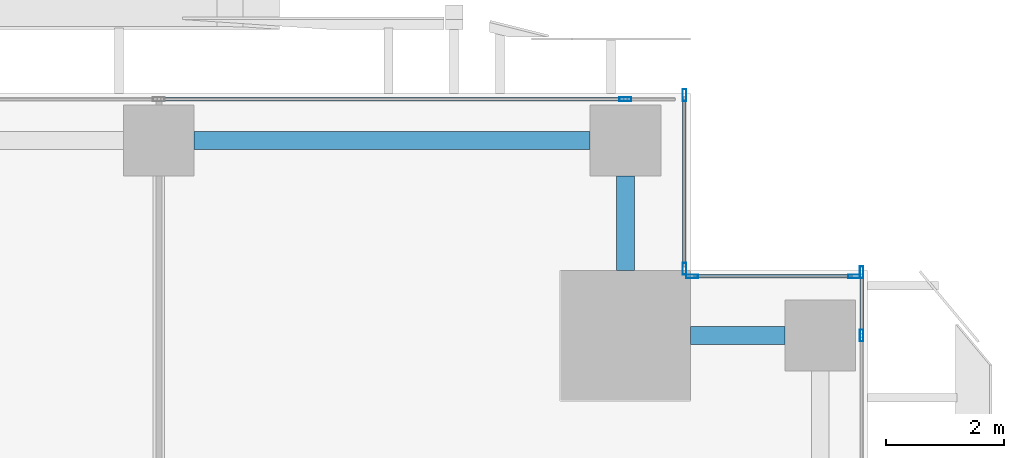
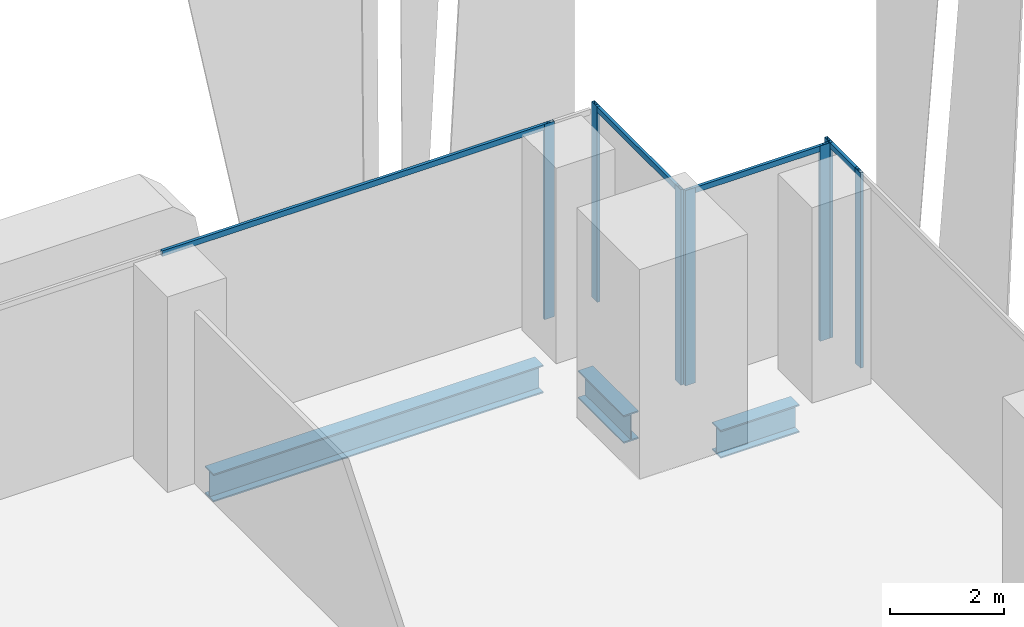
# One storey, part 21 of 36: 11 members, 3 beams, 4 elements without a shape of their own.
"""IFC4 building model written with IfcOpenShell, lengths in metres."""

from ifc_helpers import new_model, si_unit, direction, frame, origin, origin_2d, place, context, subcontext, project, spatial, hollow_rectangle, i_section, extrude, source, transform, mapped, material, material_profile, profile_set, type_object, element, aggregate, save


model = new_model("IFC4")

# Units and contexts
model_context = context("Model", 3, precision=1e-05, world=origin(), true_north=direction((0.0, 1.0)))
body_context = subcontext(model_context, "Body", "Model", "MODEL_VIEW")
ifc_project = project(units=[si_unit("LENGTHUNIT", "METRE"), si_unit("AREAUNIT", "SQUARE_METRE"), si_unit("VOLUMEUNIT", "CUBIC_METRE"), si_unit("PLANEANGLEUNIT", "RADIAN"), si_unit("MASSUNIT", "GRAM", prefix="KILO")], contexts=[model_context])

# Site, building, storey
site_placement = place(None, origin())
site = spatial("IfcSite", under=ifc_project, at=site_placement, CompositionType="ELEMENT")
building_placement = place(site_placement, origin())
building = spatial("IfcBuilding", under=site, at=building_placement, Name="Khomas Fold Tower", CompositionType="ELEMENT")
storey_placement = place(building_placement, frame((0.0, 0.0, 46.5)))
storey = spatial("IfcBuildingStorey", under=building, at=storey_placement, Name="L09", CompositionType="ELEMENT", Elevation=46.5)

# Beams
ifc_material_1 = material(Name="Steel S355", Category="steel")
ifc_material_profile_1 = material_profile(ifc_material_1, i_section(OverallWidth=0.300048828125, OverallDepth=0.60009765625, WebThickness=0.015380859375, FlangeThickness=0.030029296875, at=origin_2d()), Name="HE 600 B")
ifc_profile_set_1 = profile_set([ifc_material_profile_1], Name="Steel S355")
beam_type = type_object("IfcBeamType", Name="HE 600 B spandrel SB1", PredefinedType="SPANDREL", material=ifc_profile_set_1)
shared_shape_1 = source(origin(), body_context, "Body", "SweptSolid", [
    extrude(i_section(OverallWidth=0.300048828125, OverallDepth=0.60009765625, WebThickness=0.015380859375, FlangeThickness=0.030029296875, at=origin_2d()), origin(), (0.0, 0.0, 1.0), 6.699951171875),
])
beam_placement = place(storey_placement, frame((42.60009765625, 53.199951171875, -0.60009765625), z_axis=(1.0, 0.0, 0.0), x_axis=(0.0, 1.0, 0.0)))
element("IfcBeam", 1, at=beam_placement, inside=storey, type_object=beam_type, Name="SB1", PredefinedType="SPANDREL", context=body_context, shape_type="MappedRepresentation", body=[
    mapped(shared_shape_1, transform((0.0, 0.0, 0.0))),
])
shared_shape_2 = source(origin(), body_context, "Body", "SweptSolid", [
    extrude(i_section(OverallWidth=0.300048828125, OverallDepth=0.60009765625, WebThickness=0.015380859375, FlangeThickness=0.030029296875, at=origin_2d()), origin(), (0.0, 0.0, 1.0), 1.60009765625),
])
for number, where, z_axis, x_axis, name in (
    (2, (51.0, 49.89990234375, -0.60009765625), (1.0, 0.0, 0.0), (0.0, 1.0, 0.0), "SB1"),
    (3, (49.89990234375, 51.0, -0.60009765625), (0.0, 1.0, 0.0), (-1.0, 0.0, 0.0), "SB1"),
):
    element("IfcBeam", number, at=place(storey_placement, frame(where, z_axis=z_axis, x_axis=x_axis)), inside=storey, type_object=beam_type, Name=name, PredefinedType="SPANDREL", context=body_context, shape_type="MappedRepresentation", body=[
        mapped(shared_shape_2, transform((0.0, 0.0, 0.0))),
    ])

# Curtain wall, member
ifc_material_2 = material(Name="Aluminium framed double glazing", Category="aluminium")
curtain_wall_type = type_object("IfcCurtainWallType", Name="SK-Unitised clear-glass wall, growing floors CW1", PredefinedType="NOTDEFINED", material=ifc_material_2)
curtain_wall_1_placement = place(storey_placement, origin())
curtain_wall_1 = element("IfcCurtainWall", 4, at=curtain_wall_1_placement, inside=storey, type_object=curtain_wall_type, Name="CW1 run L09 06-0", PredefinedType="NOTDEFINED")
ifc_material_3 = material(Name="Aluminium", Category="aluminium")
ifc_material_profile_2 = material_profile(ifc_material_3, hollow_rectangle(XDim=0.06005859375, YDim=0.1201171875, WallThickness=0.00390625, at=origin_2d()), Name="SK-Unitised clear-glass wall, growing floors transom CW1-T")
ifc_profile_set_2 = profile_set([ifc_material_profile_2], Name="Aluminium")
member_type_1 = type_object("IfcMemberType", Name="SK-Unitised clear-glass wall, growing floors transom CW1-T", PredefinedType="USERDEFINED", material=ifc_profile_set_2)
shared_shape_3 = source(origin(), body_context, "Body", "SweptSolid", [
    extrude(hollow_rectangle(XDim=0.06005859375, YDim=0.1201171875, WallThickness=0.00390625, at=origin_2d()), origin(), (0.0, 0.0, 1.0), 7.840087890625),
])
member_1_placement = place(storey_placement, frame((49.8701171875, 53.89990234375, 4.139892578125), z_axis=(-1.0, 0.0, 0.0), x_axis=(0.0, -1.0, 0.0)))
member_1 = element("IfcMember", 5, at=member_1_placement, type_object=member_type_1, Name="CW1 transom 2", ObjectType="TRANSOM", PredefinedType="USERDEFINED", context=body_context, shape_type="MappedRepresentation", body=[
    mapped(shared_shape_3, transform((0.0, 0.0, 0.0))),
])

curtain_wall_2_placement = place(storey_placement, origin())
curtain_wall_2 = element("IfcCurtainWall", 6, at=curtain_wall_2_placement, inside=storey, type_object=curtain_wall_type, Name="CW1 run L09 03-0", PredefinedType="NOTDEFINED")
shared_shape_4 = source(origin(), body_context, "Body", "SweptSolid", [
    extrude(hollow_rectangle(XDim=0.06005859375, YDim=0.1201171875, WallThickness=0.00390625, at=origin_2d()), origin(), (0.0, 0.0, 1.0), 1.010009765625),
])
member_2_placement = place(storey_placement, frame((53.89990234375, 49.929931640625, 4.139892578125), z_axis=(0.0, 1.0, 0.0), x_axis=(-1.0, 0.0, 0.0)))
member_2 = element("IfcMember", 7, at=member_2_placement, type_object=member_type_1, Name="CW1 transom 8", ObjectType="TRANSOM", PredefinedType="USERDEFINED", context=body_context, shape_type="MappedRepresentation", body=[
    mapped(shared_shape_4, transform((0.0, 0.0, 0.0))),
])

curtain_wall_3_placement = place(storey_placement, origin())
curtain_wall_3 = element("IfcCurtainWall", 8, at=curtain_wall_3_placement, inside=storey, type_object=curtain_wall_type, Name="CW1 corner return L09 04", PredefinedType="NOTDEFINED")
shared_shape_5 = source(origin(), body_context, "Body", "SweptSolid", [
    extrude(hollow_rectangle(XDim=0.06005859375, YDim=0.1201171875, WallThickness=0.00390625, at=origin_2d()), origin(), (0.0, 0.0, 1.0), 2.679931640625),
])
member_3_placement = place(storey_placement, frame((53.739990234375, 50.89990234375, 4.139892578125), z_axis=(-1.0, 0.0, 0.0), x_axis=(0.0, -1.0, 0.0)))
member_3 = element("IfcMember", 9, at=member_3_placement, type_object=member_type_1, Name="CW1 transom 1", ObjectType="TRANSOM", PredefinedType="USERDEFINED", context=body_context, shape_type="MappedRepresentation", body=[
    mapped(shared_shape_5, transform((0.0, 0.0, 0.0))),
])

curtain_wall_4_placement = place(storey_placement, origin())
curtain_wall_4 = element("IfcCurtainWall", 10, at=curtain_wall_4_placement, inside=storey, type_object=curtain_wall_type, Name="CW1 corner return L09 05", PredefinedType="NOTDEFINED")
shared_shape_6 = source(origin(), body_context, "Body", "SweptSolid", [
    extrude(hollow_rectangle(XDim=0.06005859375, YDim=0.1201171875, WallThickness=0.00390625, at=origin_2d()), origin(), (0.0, 0.0, 1.0), 2.8798828125),
])
member_4_placement = place(storey_placement, frame((50.89990234375, 51.06005859375, 4.139892578125), z_axis=(0.0, 1.0, 0.0), x_axis=(-1.0, 0.0, 0.0)))
member_4 = element("IfcMember", 11, at=member_4_placement, type_object=member_type_1, Name="CW1 transom 1", ObjectType="TRANSOM", PredefinedType="USERDEFINED", context=body_context, shape_type="MappedRepresentation", body=[
    mapped(shared_shape_6, transform((0.0, 0.0, 0.0))),
])

# Member
ifc_material_4 = material(Name="Aluminium", Category="aluminium")
ifc_material_profile_3 = material_profile(ifc_material_4, hollow_rectangle(XDim=0.06005859375, YDim=0.199951171875, WallThickness=0.00390625, at=origin_2d()), Name="SK-Unitised clear-glass wall, growing floors mullion CW1-M")
ifc_profile_set_3 = profile_set([ifc_material_profile_3], Name="Aluminium")
member_type_2 = type_object("IfcMemberType", Name="SK-Unitised clear-glass wall, growing floors mullion CW1-M", PredefinedType="MULLION", material=ifc_profile_set_3)
shared_shape_7 = source(origin(), body_context, "Body", "SweptSolid", [
    extrude(hollow_rectangle(XDim=0.06005859375, YDim=0.199951171875, WallThickness=0.00390625, at=origin_2d()), origin(), (0.0, 0.0, 1.0), 4.199951171875),
])
member_5_placement = place(storey_placement, frame((53.89990234375, 49.89990234375, 0.0), z_axis=(0.0, 0.0, 1.0), x_axis=(-1.0, 0.0, 0.0)))
member_5 = element("IfcMember", 12, at=member_5_placement, type_object=member_type_2, Name="CW1 mullion 8", PredefinedType="MULLION", context=body_context, shape_type="MappedRepresentation", body=[
    mapped(shared_shape_7, transform((0.0, 0.0, 0.0))),
])

member_6_placement = place(storey_placement, frame((53.89990234375, 50.969970703125, 0.0), z_axis=(0.0, 0.0, 1.0), x_axis=(-1.0, 0.0, 0.0)))
member_6 = element("IfcMember", 13, at=member_6_placement, type_object=member_type_2, Name="CW1 mullion 9", PredefinedType="MULLION", context=body_context, shape_type="MappedRepresentation", body=[
    mapped(shared_shape_7, transform((0.0, 0.0, 0.0))),
])

aggregate(curtain_wall_2, [member_5, member_6, member_2])

member_7_placement = place(storey_placement, frame((53.77001953125, 50.89990234375, 0.0), z_axis=(0.0, 0.0, 1.0), x_axis=(0.0, -1.0, 0.0)))
member_7 = element("IfcMember", 14, at=member_7_placement, type_object=member_type_2, Name="CW1 mullion 1", PredefinedType="MULLION", context=body_context, shape_type="MappedRepresentation", body=[
    mapped(shared_shape_7, transform((0.0, 0.0, 0.0))),
])

member_8_placement = place(storey_placement, frame((51.030029296875, 50.89990234375, 0.0), z_axis=(0.0, 0.0, 1.0), x_axis=(0.0, -1.0, 0.0)))
member_8 = element("IfcMember", 15, at=member_8_placement, type_object=member_type_2, Name="CW1 mullion 2", PredefinedType="MULLION", context=body_context, shape_type="MappedRepresentation", body=[
    mapped(shared_shape_7, transform((0.0, 0.0, 0.0))),
])

aggregate(curtain_wall_3, [member_7, member_8, member_3])

member_9_placement = place(storey_placement, frame((50.89990234375, 51.030029296875, 0.0), z_axis=(0.0, 0.0, 1.0), x_axis=(-1.0, 0.0, 0.0)))
member_9 = element("IfcMember", 16, at=member_9_placement, type_object=member_type_2, Name="CW1 mullion 1", PredefinedType="MULLION", context=body_context, shape_type="MappedRepresentation", body=[
    mapped(shared_shape_7, transform((0.0, 0.0, 0.0))),
])

member_10_placement = place(storey_placement, frame((50.89990234375, 53.969970703125, 0.0), z_axis=(0.0, 0.0, 1.0), x_axis=(-1.0, 0.0, 0.0)))
member_10 = element("IfcMember", 17, at=member_10_placement, type_object=member_type_2, Name="CW1 mullion 2", PredefinedType="MULLION", context=body_context, shape_type="MappedRepresentation", body=[
    mapped(shared_shape_7, transform((0.0, 0.0, 0.0))),
])

aggregate(curtain_wall_4, [member_9, member_10, member_4])

member_11_placement = place(storey_placement, frame((49.89990234375, 53.89990234375, 0.0), z_axis=(0.0, 0.0, 1.0), x_axis=(0.0, -1.0, 0.0)))
member_11 = element("IfcMember", 18, at=member_11_placement, type_object=member_type_2, Name="CW1 mullion 2", PredefinedType="MULLION", context=body_context, shape_type="MappedRepresentation", body=[
    mapped(shared_shape_7, transform((0.0, 0.0, 0.0))),
])

aggregate(curtain_wall_1, [member_11, member_1])

save(model, "model.ifc")
